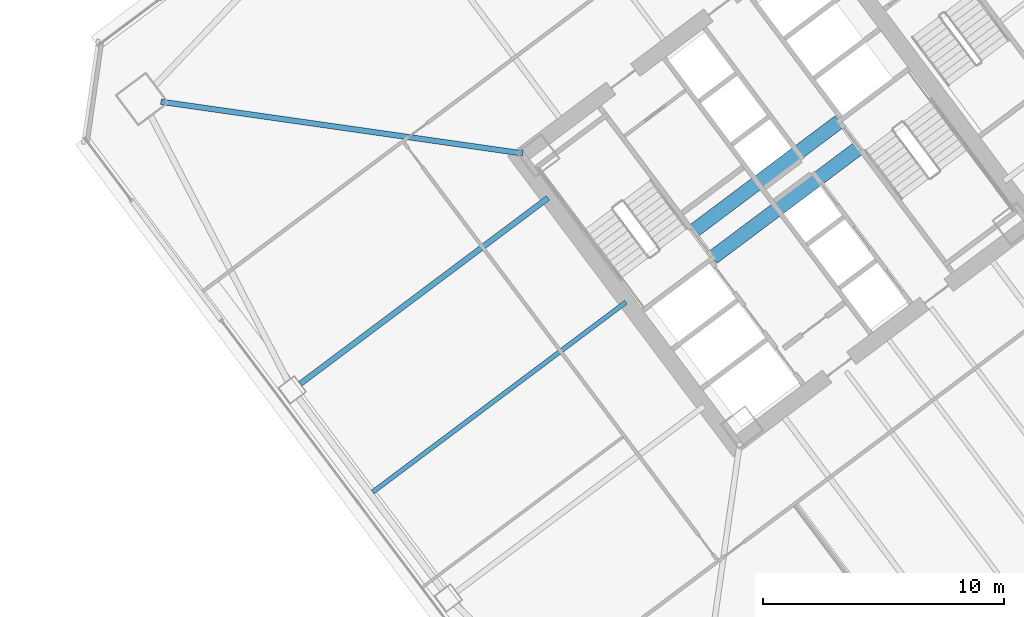
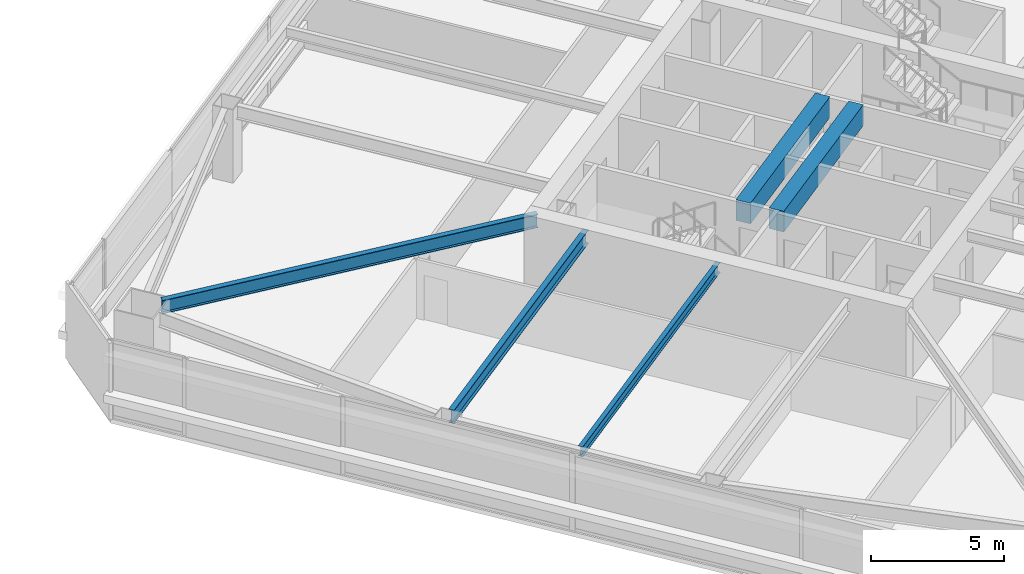
# One storey, part 24 of 51: 5 beams.
"""IFC4 building model written with IfcOpenShell, lengths in metres."""

from ifc_helpers import new_model, si_unit, direction, frame, origin, origin_2d, place, context, subcontext, project, spatial, rectangle, i_section, extrude, material, material_profile, profile_set, type_object, element, save


model = new_model("IFC4")

# Units and contexts
model_context = context("Model", 3, precision=1e-05, world=origin(), true_north=direction((0.0, 1.0)))
body_context = subcontext(model_context, "Body", "Model", "MODEL_VIEW")
ifc_project = project(units=[si_unit("LENGTHUNIT", "METRE"), si_unit("AREAUNIT", "SQUARE_METRE"), si_unit("VOLUMEUNIT", "CUBIC_METRE"), si_unit("PLANEANGLEUNIT", "RADIAN"), si_unit("MASSUNIT", "GRAM", prefix="KILO")], contexts=[model_context])

# Site, building, storey
site_placement = place(None, origin())
site = spatial("IfcSite", under=ifc_project, at=site_placement, CompositionType="ELEMENT")
building_placement = place(site_placement, origin())
building = spatial("IfcBuilding", under=site, at=building_placement, Name="Tashvorn Skyway Center", CompositionType="ELEMENT")
storey_placement = place(building_placement, frame((0.0, 0.0, 49.449951171875)))
storey = spatial("IfcBuildingStorey", under=building, at=storey_placement, Name="L12", CompositionType="ELEMENT", Elevation=49.449951171875)

# Beams
ifc_material_1 = material(Name="Steel ASTM A992 Grade 50", Category="steel")
ifc_material_profile_1 = material_profile(ifc_material_1, i_section(OverallWidth=0.22998046875, OverallDepth=0.616943359375, WebThickness=0.01318359375, FlangeThickness=0.022216796875, at=origin_2d()), Name="W24X94")
ifc_profile_set_1 = profile_set([ifc_material_profile_1], Name="Steel ASTM A992 Grade 50")
beam_type_1 = type_object("IfcBeamType", Name="BM-BEAM-W24X94", PredefinedType="BEAM", material=ifc_profile_set_1)
beam_1_placement = place(storey_placement, frame((88.467041015625, 35.6474609375, 3.04150390625), z_axis=(0.989950458816, -0.141414599991, 0.0), x_axis=(0.141414599991, 0.989950458816, 0.0)))
element("IfcBeam", 1, at=beam_1_placement, inside=storey, type_object=beam_type_1, Name="Tower 2 L12 Primary Floor Girder MC-NW", PredefinedType="BEAM", context=body_context, shape_type="SweptSolid", body=[
    extrude(i_section(OverallWidth=0.22998046875, OverallDepth=0.616943359375, WebThickness=0.01318359375, FlangeThickness=0.022216796875, at=origin_2d()), origin(), (0.0, 0.0, 1.0), 15.177001953125),
])
beam_2_placement = place(storey_placement, frame((94.256103515625, 23.94189453125, 3.04150390625), z_axis=(0.799986320265, 0.600018239213, 0.0), x_axis=(-0.600018239213, 0.799986320265, 0.0)))
element("IfcBeam", 2, at=beam_2_placement, inside=storey, type_object=beam_type_1, Name="Tower 2 L12 Primary Floor Girder FC-W1", PredefinedType="BEAM", context=body_context, shape_type="SweptSolid", body=[
    extrude(i_section(OverallWidth=0.22998046875, OverallDepth=0.616943359375, WebThickness=0.01318359375, FlangeThickness=0.022216796875, at=origin_2d()), origin(), (0.0, 0.0, 1.0), 12.849853515625),
])
ifc_material_profile_2 = material_profile(ifc_material_1, i_section(OverallWidth=0.19091796875, OverallDepth=0.4599609375, WebThickness=0.010009765625, FlangeThickness=0.01611328125, at=origin_2d()), Name="W18X55")
ifc_profile_set_2 = profile_set([ifc_material_profile_2], Name="Steel ASTM A992 Grade 50")
beam_type_2 = type_object("IfcBeamType", Name="BM-JOIST-W18X55", PredefinedType="JOIST", material=ifc_profile_set_2)
beam_3_placement = place(storey_placement, frame((107.76806640625, 27.325927734375, 3.1201171875), z_axis=(-0.799997770398, -0.600002972791, 0.0), x_axis=(0.600002972791, -0.799997770398, 0.0)))
element("IfcBeam", 3, at=beam_3_placement, inside=storey, type_object=beam_type_2, Name="Tower 2 L12 Secondary Composite Joist JW", PredefinedType="JOIST", context=body_context, shape_type="SweptSolid", body=[
    extrude(i_section(OverallWidth=0.19091796875, OverallDepth=0.4599609375, WebThickness=0.010009765625, FlangeThickness=0.01611328125, at=origin_2d()), origin(), (0.0, 0.0, 1.0), 13.139892578125),
])
ifc_material_2 = material(Name="Concrete C60/75", Category="concrete")
ifc_material_profile_3 = material_profile(ifc_material_2, rectangle(XDim=0.60009765625, YDim=0.949951171875, at=origin_2d()), Name="RCB600x950")
ifc_profile_set_3 = profile_set([ifc_material_profile_3], Name="Concrete C60/75")
beam_type_3 = type_object("IfcBeamType", Name="BM-LINTEL-RCB600x950", PredefinedType="LINTEL", material=ifc_profile_set_3)
for number, where, z_axis, x_axis, name in (
    (4, (110.552001953125, 30.263916015625, 2.875), (0.8, 0.6, 0.0), (-0.6, 0.8, 0.0), "Tower 2 L12 Core Coupling Beam CN"),
    (5, (111.367919921875, 29.176025390625, 2.875), (0.8, 0.6, 0.0), (-0.6, 0.8, 0.0), "Tower 2 L12 Core Coupling Beam CS"),
):
    element("IfcBeam", number, at=place(storey_placement, frame(where, z_axis=z_axis, x_axis=x_axis)), inside=storey, type_object=beam_type_3, Name=name, PredefinedType="LINTEL", context=body_context, shape_type="SweptSolid", body=[
        extrude(rectangle(XDim=0.60009765625, YDim=0.949951171875, at=origin_2d()), origin(), (0.0, 0.0, 1.0), 7.60009765625),
    ])

save(model, "model.ifc")
